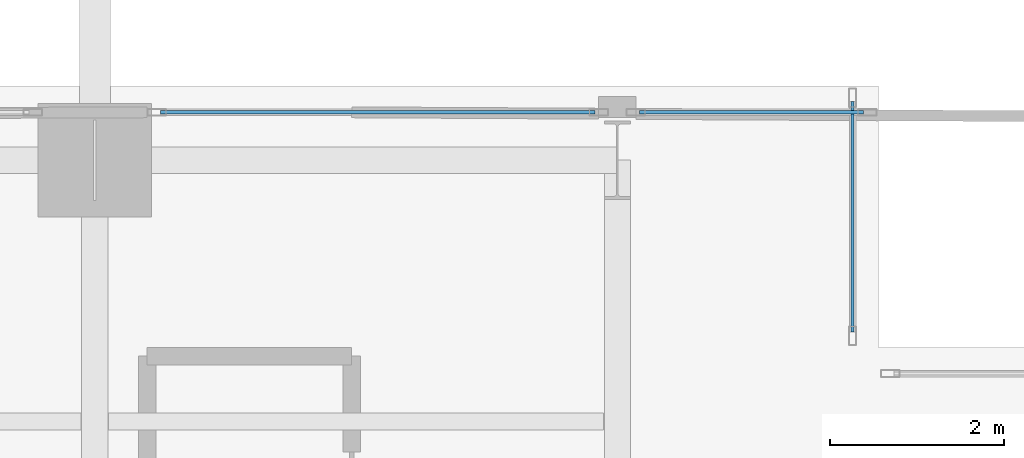
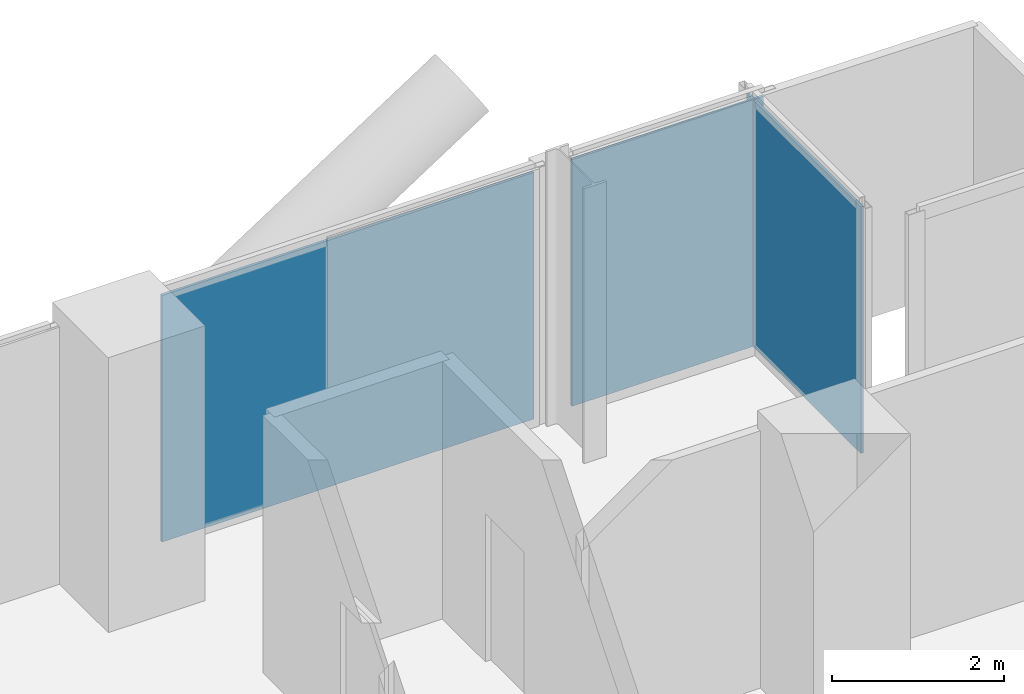
# One storey, part 18 of 25: 3 plates, 3 elements without a shape of their own.
"""IFC4 building model written with IfcOpenShell, lengths in metres."""

from ifc_helpers import new_model, si_unit, direction, frame, origin, origin_2d, place, context, subcontext, project, spatial, rectangle, extrude, material, layer, layer_set, type_object, element, aggregate, save


model = new_model("IFC4")

# Units and contexts
model_context = context("Model", 3, precision=1e-05, world=origin(), true_north=direction((0.0, 1.0)))
body_context = subcontext(model_context, "Body", "Model", "MODEL_VIEW")
ifc_project = project(units=[si_unit("LENGTHUNIT", "METRE"), si_unit("AREAUNIT", "SQUARE_METRE"), si_unit("VOLUMEUNIT", "CUBIC_METRE"), si_unit("PLANEANGLEUNIT", "RADIAN"), si_unit("MASSUNIT", "GRAM", prefix="KILO"), si_unit("THERMODYNAMICTEMPERATUREUNIT", "KELVIN"), si_unit("POWERUNIT", "WATT")], contexts=[model_context])

# Site, building, storey
site_placement = place(None, origin())
site = spatial("IfcSite", under=ifc_project, at=site_placement, CompositionType="ELEMENT")
building_placement = place(site_placement, origin())
building = spatial("IfcBuilding", under=site, at=building_placement, Name="Svarakhadi Broadcast Tower", CompositionType="ELEMENT")
storey_placement = place(building_placement, frame((0.0, 0.0, 51.89990234375)))
storey = spatial("IfcBuildingStorey", under=building, at=storey_placement, Name="L11", CompositionType="ELEMENT", Elevation=51.89990234375)

# Curtain wall, plate
ifc_material_1 = material(Name="Anodised Bronze Aluminium AA 6063-T6", Category="aluminium")
ifc_layer_1 = layer(ifc_material_1, 0.219970703125)
ifc_layer_set_1 = layer_set([ifc_layer_1], Name="Anodised Bronze Aluminium AA 6063-T6")
curtain_wall_type = type_object("IfcCurtainWallType", Name="CW_Sys_02", PredefinedType="NOTDEFINED", material=ifc_layer_set_1)
curtain_wall_1_placement = place(storey_placement, origin())
curtain_wall_1 = element("IfcCurtainWall", 1, at=curtain_wall_1_placement, inside=storey, type_object=curtain_wall_type, Name="L11 Unitised Facade Curtain Wall 06 Bay 3", PredefinedType="NOTDEFINED")
ifc_material_2 = material(Name="Double Low-E Laminated Acoustic Glass IGU 36 mm", Category="glass")
ifc_layer_2 = layer(ifc_material_2, 0.035888671875)
ifc_layer_set_2 = layer_set([ifc_layer_2], Name="Double Low-E Laminated Acoustic Glass IGU 36 mm")
plate_type = type_object("IfcPlateType", Name="CW_Sys_02_Pnl", PredefinedType="CURTAIN_PANEL", material=ifc_layer_set_2)
plate_1_placement = place(storey_placement, frame((15.25, 47.699951171875, 0.0751953125), z_axis=(0.0, 0.0, 1.0), x_axis=(1.0, 0.0, 0.0)))
plate_1 = element("IfcPlate", 2, at=plate_1_placement, type_object=plate_type, Name="CW-02 panel 1.1", PredefinedType="CURTAIN_PANEL", context=body_context, shape_type="SweptSolid", body=[
    extrude(rectangle(XDim=4.989990234375, YDim=0.035888671875, at=origin_2d()), origin(), (0.0, 0.0, 1.0), 3.5),
])
aggregate(curtain_wall_1, [plate_1])

curtain_wall_2_placement = place(storey_placement, origin())
curtain_wall_2 = element("IfcCurtainWall", 3, at=curtain_wall_2_placement, inside=storey, type_object=curtain_wall_type, Name="L11 Unitised Facade Curtain Wall 06 Bay 4", PredefinedType="NOTDEFINED")
plate_2_placement = place(storey_placement, frame((19.5400390625, 47.699951171875, 0.0751953125), z_axis=(0.0, 0.0, 1.0), x_axis=(1.0, 0.0, 0.0)))
plate_2 = element("IfcPlate", 4, at=plate_2_placement, type_object=plate_type, Name="CW-02 panel 1.1", PredefinedType="CURTAIN_PANEL", context=body_context, shape_type="SweptSolid", body=[
    extrude(rectangle(XDim=2.570068359375, YDim=0.035888671875, at=origin_2d()), origin(), (0.0, 0.0, 1.0), 3.5),
])
aggregate(curtain_wall_2, [plate_2])

curtain_wall_3_placement = place(storey_placement, origin())
curtain_wall_3 = element("IfcCurtainWall", 5, at=curtain_wall_3_placement, inside=storey, type_object=curtain_wall_type, Name="L11 Unitised Facade Curtain Wall 07", PredefinedType="NOTDEFINED")
plate_3_placement = place(storey_placement, frame((20.699951171875, 46.5, 0.0751953125), z_axis=(0.0, 0.0, 1.0), x_axis=(0.0, -1.0, 0.0)))
plate_3 = element("IfcPlate", 6, at=plate_3_placement, type_object=plate_type, Name="CW-02 panel 1.1", PredefinedType="CURTAIN_PANEL", context=body_context, shape_type="SweptSolid", body=[
    extrude(rectangle(XDim=2.64990234375, YDim=0.035888671875, at=origin_2d()), origin(), (0.0, 0.0, 1.0), 3.5),
])
aggregate(curtain_wall_3, [plate_3])

save(model, "model.ifc")
